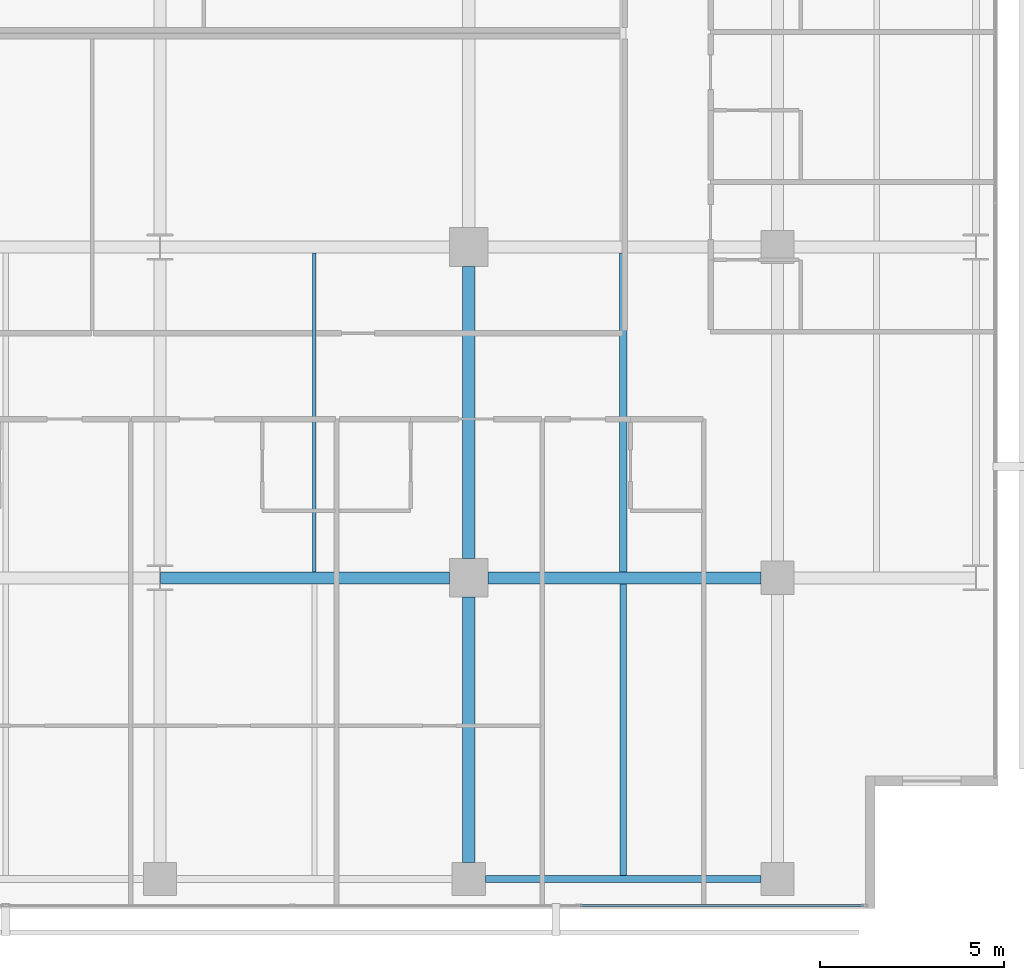
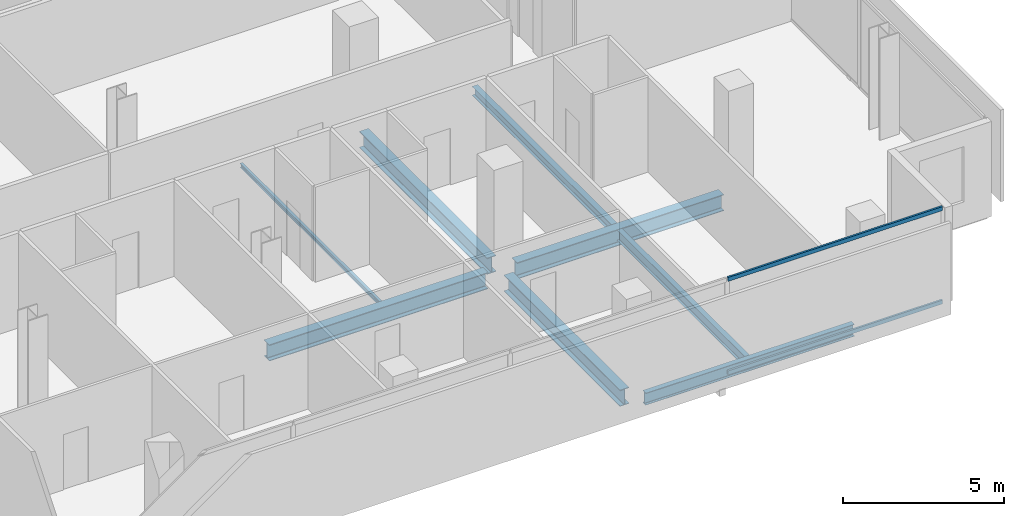
# One storey, part 15 of 41: 8 beams, 2 members, 1 element without a shape of its own.
"""IFC4 building model written with IfcOpenShell, lengths in metres."""

import ifcopenshell
import ifcopenshell.guid

model = None  # the IFC model being written
_history = None  # IfcOwnerHistory: only IFC2X3 demands one
_inside = {}  # id of a spatial element -> (the spatial element, [elements in it])
_under = {}  # id of a project, library or spatial element -> (it, [spatial elements below it])
_declared = {}  # id of a project -> (the project, [libraries it declares])
_typed = {}  # id of a type object -> (the type object, [elements of that type])
_made_of = {}  # id of a material, layer set ... -> (it, [elements and type objects made of it])


def new_model(schema):
    """Start an empty IFC model of exactly this schema.

    Asked for "IFC4X3", IfcOpenShell would pick the latest addendum, in which some entities
    have other attributes; the version numbers below select the first issue.
    IFC2X3 requires an IfcOwnerHistory on every rooted entity: one is made here for all.
    """
    global model, _history
    if schema == "IFC4X3":
        model = ifcopenshell.file(schema_version=(4, 3, 0, 0))
    else:
        model = ifcopenshell.file(schema=schema)
    _inside.clear()
    _under.clear()
    _declared.clear()
    _typed.clear()
    _made_of.clear()
    _history = None
    if model.schema == "IFC2X3":
        org = make("IfcOrganization", Name="unknown")
        user = make(
            "IfcPersonAndOrganization",
            ThePerson=make("IfcPerson", FamilyName="unknown"),
            TheOrganization=org,
        )
        app = make(
            "IfcApplication",
            ApplicationDeveloper=org,
            Version="unknown",
            ApplicationFullName="unknown",
            ApplicationIdentifier="unknown",
        )
        _history = make(
            "IfcOwnerHistory",
            OwningUser=user,
            OwningApplication=app,
            ChangeAction="ADDED",
            CreationDate=0,
        )
    return model


def make(cls, **values):
    """One entity of the class cls with the attributes given. An attribute that is None is left unset."""
    return model.create_entity(
        cls, **{name: value for name, value in values.items() if value is not None}
    )


def rooted(cls, **values):
    """An entity with a GlobalId (a new one), such as an element, a storey or a relation."""
    return make(cls, GlobalId=ifcopenshell.guid.new(), OwnerHistory=_history, **values)


def si_unit(unit_type, name, prefix=None):
    """IfcSIUnit, for example si_unit("LENGTHUNIT", "METRE", prefix="MILLI")."""
    return make("IfcSIUnit", UnitType=unit_type, Prefix=prefix, Name=name)


def assignment(units):
    """IfcUnitAssignment: the units of a project."""
    return None if units is None else make("IfcUnitAssignment", Units=units)


def point(xyz):
    """IfcCartesianPoint."""
    return None if xyz is None else make("IfcCartesianPoint", Coordinates=xyz)


def direction(xyz):
    """IfcDirection."""
    return None if xyz is None else make("IfcDirection", DirectionRatios=xyz)


def frame(location, z_axis=None, x_axis=None):
    """IfcAxis2Placement3D, a coordinate frame: its origin and axes. An axis left out is left unset."""
    return make(
        "IfcAxis2Placement3D",
        Location=point(location),
        Axis=direction(z_axis),
        RefDirection=direction(x_axis),
    )


def frame_2d(location, x_axis=None):
    """IfcAxis2Placement2D, a coordinate frame in the plane: its origin and x axis."""
    return make(
        "IfcAxis2Placement2D", Location=point(location), RefDirection=direction(x_axis)
    )


def origin():
    """The frame at (0, 0, 0) with its axes left unset."""
    return frame((0.0, 0.0, 0.0))


def origin_2d():
    """The frame at (0, 0) in the plane with its x axis left unset."""
    return frame_2d((0.0, 0.0))


def place(relative_to, where):
    """IfcLocalPlacement: puts the frame where relative to a parent placement (None: the world)."""
    return make(
        "IfcLocalPlacement", PlacementRelTo=relative_to, RelativePlacement=where
    )


def context(
    kind, dimensions, precision=None, world=None, true_north=None, identifier=None
):
    """IfcGeometricRepresentationContext, for example the 3D "Model" context."""
    return make(
        "IfcGeometricRepresentationContext",
        ContextIdentifier=identifier,
        ContextType=kind,
        CoordinateSpaceDimension=dimensions,
        Precision=precision,
        WorldCoordinateSystem=world,
        TrueNorth=true_north,
    )


def subcontext(parent, identifier, kind, view, scale=None):
    """IfcGeometricRepresentationSubContext, for example "Body" below "Model"."""
    return make(
        "IfcGeometricRepresentationSubContext",
        ContextIdentifier=identifier,
        ContextType=kind,
        ParentContext=parent,
        TargetScale=scale,
        TargetView=view,
    )


def project(units=None, contexts=None):
    """IfcProject with its units and contexts."""
    return rooted(
        "IfcProject",
        Name="project",
        RepresentationContexts=contexts,
        UnitsInContext=assignment(units),
    )


def spatial(cls, under=None, at=None, **own):
    """A site, building, storey or space (cls), placed at a placement, below another one or the project."""
    s = rooted(cls, ObjectPlacement=at, **own)
    if under is not None:
        _under.setdefault(under.id(), (under, []))[1].append(s)
    return s


def profile(cls, at=None, kind="AREA", **sizes):
    """A parametric profile (cls). Its sizes go by their IFC names, for example OverallWidth=200.0."""
    return make(cls, ProfileType=kind, Position=at, **sizes)


def hollow_rectangle(**sizes):
    """IfcRectangleHollowProfileDef."""
    return profile("IfcRectangleHollowProfileDef", **sizes)


def i_section(**sizes):
    """IfcIShapeProfileDef."""
    return profile("IfcIShapeProfileDef", **sizes)


def extrude(swept, where, along, depth):
    """IfcExtrudedAreaSolid: the profile swept, set in the frame where, extruded along a direction by depth."""
    return make(
        "IfcExtrudedAreaSolid",
        SweptArea=swept,
        Position=where,
        ExtrudedDirection=direction(along),
        Depth=depth,
    )


def shape(context_of_items, identifier, shape_type, items):
    """IfcShapeRepresentation: the items that make up one representation, for example the "Body"."""
    return make(
        "IfcShapeRepresentation",
        ContextOfItems=context_of_items,
        RepresentationIdentifier=identifier,
        RepresentationType=shape_type,
        Items=items,
    )


def material(Name=None, Category=None):
    """IfcMaterial."""
    return make("IfcMaterial", Name=Name, Category=Category)


def layer(
    of_material, thickness, ventilated=None, Name=None, Category=None, Priority=None
):
    """IfcMaterialLayer: one layer of a wall or slab, of a material (None: an air gap)."""
    return make(
        "IfcMaterialLayer",
        Material=of_material,
        LayerThickness=thickness,
        IsVentilated=ventilated,
        Name=Name,
        Category=Category,
        Priority=Priority,
    )


def layer_set(layers, Name=None):
    """IfcMaterialLayerSet."""
    return make("IfcMaterialLayerSet", MaterialLayers=layers, LayerSetName=Name)


def material_profile(
    of_material, cross_section, Name=None, Category=None, Priority=None
):
    """IfcMaterialProfile: a cross section and its material."""
    return make(
        "IfcMaterialProfile",
        Name=Name,
        Material=of_material,
        Profile=cross_section,
        Priority=Priority,
        Category=Category,
    )


def profile_set(profiles, Name=None, composite=None):
    """IfcMaterialProfileSet."""
    return make(
        "IfcMaterialProfileSet",
        Name=Name,
        MaterialProfiles=profiles,
        CompositeProfile=composite,
    )


def made_of(thing, what):
    """Note that an element or type object is made of a material, layer set ...; save() writes the relation."""
    if what is not None:
        _made_of.setdefault(what.id(), (what, []))[1].append(thing)
    return thing


def type_object(cls, material=None, **own):
    """A type object (cls), such as IfcWallType, which elements share."""
    return made_of(rooted(cls, **own), material)


def element(
    cls,
    number,
    at=None,
    inside=None,
    cuts=None,
    type_object=None,
    material=None,
    context=None,
    identifier="Body",
    shape_type=None,
    held_by="IfcProductDefinitionShape",
    body=None,
    shapes=None,
    **own,
):
    """One element of the class cls, such as IfcWall. Its Tag is "e" and its number.

    at: its placement. inside: the storey or other place that contains it. cuts: it is an
    opening in that element (IfcRelVoidsElement). A single representation is given by context,
    identifier, shape_type and body (its items); several are given by shapes. held_by: the class
    of the entity that holds the representations. save() writes the other relations.
    """
    e = rooted(cls, Tag="e%d" % number, ObjectPlacement=at, **own)
    if body is not None:
        shapes = [shape(context, identifier, shape_type, body)]
    if shapes is not None:
        e.Representation = make(held_by, Representations=shapes)
    if inside is not None:
        _inside.setdefault(inside.id(), (inside, []))[1].append(e)
    if cuts is not None:
        rooted(
            "IfcRelVoidsElement", RelatingBuildingElement=cuts, RelatedOpeningElement=e
        )
    if type_object is not None:
        _typed.setdefault(type_object.id(), (type_object, []))[1].append(e)
    return made_of(e, material)


def aggregate(whole, parts):
    """IfcRelAggregates: a whole, such as a stair, and the parts it consists of."""
    return rooted("IfcRelAggregates", RelatingObject=whole, RelatedObjects=parts)


def save(model, path):
    """Write the relations noted so far, then the file.

    IfcRelAggregates (storeys below a building ...), IfcRelContainedInSpatialStructure (elements
    in a storey), IfcRelDefinesByType, IfcRelAssociatesMaterial and IfcRelDeclares: one each for
    every whole, place, type object, material and project.
    """
    for whole, parts in _under.values():
        aggregate(whole, parts)
    for where, things in _inside.values():
        rooted(
            "IfcRelContainedInSpatialStructure",
            RelatedElements=things,
            RelatingStructure=where,
        )
    for kind, things in _typed.values():
        rooted("IfcRelDefinesByType", RelatedObjects=things, RelatingType=kind)
    for what, things in _made_of.values():
        rooted("IfcRelAssociatesMaterial", RelatedObjects=things, RelatingMaterial=what)
    for by, libraries in _declared.values():
        rooted("IfcRelDeclares", RelatingContext=by, RelatedDefinitions=libraries)
    model.write(path)


model = new_model("IFC4")

# Units and contexts
model_context = context("Model", 3, precision=1e-05, world=origin(), true_north=direction((0.0, 1.0)))
body_context = subcontext(model_context, "Body", "Model", "MODEL_VIEW")
ifc_project = project(units=[si_unit("LENGTHUNIT", "METRE"), si_unit("AREAUNIT", "SQUARE_METRE"), si_unit("VOLUMEUNIT", "CUBIC_METRE"), si_unit("PLANEANGLEUNIT", "RADIAN"), si_unit("MASSUNIT", "GRAM", prefix="KILO")], contexts=[model_context])

# Site, building, storey
site_placement = place(None, origin())
site = spatial("IfcSite", under=ifc_project, at=site_placement, CompositionType="ELEMENT")
building_placement = place(site_placement, origin())
building = spatial("IfcBuilding", under=site, at=building_placement, Name="Maruvema Waterfront Hotel and Observation Tower", CompositionType="ELEMENT")
storey_placement = place(building_placement, frame((0.0, 0.0, 61.60009765625)))
storey = spatial("IfcBuildingStorey", under=building, at=storey_placement, Name="L14", CompositionType="ELEMENT", Elevation=61.60009765625)

# Curtain wall, members
ifc_material_1 = material(Name="Anodised bronze aluminium and solar-control low-E IGU", Category="aluminium")
ifc_layer = layer(ifc_material_1, 0.159912109375, Name="Zone 1 Bronze Inner Thermal Curtain Wall System CW-02")
ifc_layer_set = layer_set([ifc_layer], Name="Anodised bronze aluminium and solar-control low-E IGU")
curtain_wall_type = type_object("IfcCurtainWallType", Name="Zone 1 Bronze Inner Thermal Curtain Wall System CW-02", PredefinedType="USERDEFINED", material=ifc_layer_set)
curtain_wall_placement = place(storey_placement, origin())
curtain_wall = element("IfcCurtainWall", 1, at=curtain_wall_placement, inside=storey, type_object=curtain_wall_type, Name="L14 Curtain Wall CW-L14-S", ObjectType="UNITISED CURTAIN WALL", PredefinedType="USERDEFINED")
ifc_material_2 = material(Name="Anodised architectural bronze aluminium", Category="aluminium")
ifc_material_profile_1 = material_profile(ifc_material_2, hollow_rectangle(XDim=0.070068359375, YDim=0.14990234375, WallThickness=0.00390625, at=origin_2d()), Name="ALU-T70x150")
ifc_profile_set_1 = profile_set([ifc_material_profile_1], Name="Anodised architectural bronze aluminium")
member_type = type_object("IfcMemberType", Name="Curtain Wall Horizontal Transom ALU-T70x150", PredefinedType="USERDEFINED", material=ifc_profile_set_1)
member_1_placement = place(storey_placement, frame((53.429931640625, 0.080078125, 0.02978515625), z_axis=(1.0, 0.0, 0.0), x_axis=(0.0, 1.0, 0.0)))
member_1 = element("IfcMember", 2, at=member_1_placement, type_object=member_type, Name="CW-02 transom 6.1", ObjectType="TRANSOM", PredefinedType="USERDEFINED", context=body_context, shape_type="SweptSolid", body=[
    extrude(hollow_rectangle(XDim=0.070068359375, YDim=0.14990234375, WallThickness=0.00390625, at=origin_2d()), origin(), (0.0, 0.0, 1.0), 7.7099609375),
])
member_2_placement = place(storey_placement, frame((53.429931640625, 0.080078125, 3.579833984375), z_axis=(1.0, 0.0, 0.0), x_axis=(0.0, 1.0, 0.0)))
member_2 = element("IfcMember", 3, at=member_2_placement, type_object=member_type, Name="CW-02 transom 6.2", ObjectType="TRANSOM", PredefinedType="USERDEFINED", context=body_context, shape_type="SweptSolid", body=[
    extrude(hollow_rectangle(XDim=0.070068359375, YDim=0.14990234375, WallThickness=0.00390625, at=origin_2d()), origin(), (0.0, 0.0, 1.0), 7.7099609375),
])
aggregate(curtain_wall, [member_1, member_2])

# Beams
ifc_material_3 = material(Name="Steel ASTM A572 Grade 50", Category="steel")
ifc_material_profile_2 = material_profile(ifc_material_3, i_section(OverallWidth=0.18994140625, OverallDepth=0.45703125, WebThickness=0.009033203125, FlangeThickness=0.014404296875, FilletRadius=0.014892578125, at=origin_2d()), Name="W460x74.0")
ifc_profile_set_2 = profile_set([ifc_material_profile_2], Name="Steel ASTM A572 Grade 50")
beam_type_1 = type_object("IfcBeamType", Name="Perimeter Spandrel Beam W460x74.0", PredefinedType="SPANDREL", material=ifc_profile_set_2)
beam_1_placement = place(storey_placement, frame((50.85009765625, 0.800048828125, -0.468505859375), z_axis=(1.0, 0.0, 0.0), x_axis=(0.0, 1.0, 0.0)))
element("IfcBeam", 4, at=beam_1_placement, inside=storey, type_object=beam_type_1, Name="L14 Floor Girder EW-05", PredefinedType="SPANDREL", context=body_context, shape_type="SweptSolid", body=[
    extrude(i_section(OverallWidth=0.18994140625, OverallDepth=0.45703125, WebThickness=0.009033203125, FlangeThickness=0.014404296875, FilletRadius=0.014892578125, at=origin_2d()), origin(), (0.0, 0.0, 1.0), 7.5),
])
ifc_material_4 = material(Name="Steel ASTM A572 Grade 50", Category="steel")
ifc_material_profile_3 = material_profile(ifc_material_4, i_section(OverallWidth=0.326904296875, OverallDepth=0.6220703125, WebThickness=0.015380859375, FlangeThickness=0.0244140625, FilletRadius=0.01806640625, at=origin_2d()), Name="W610x195.0")
ifc_profile_set_3 = profile_set([ifc_material_profile_3], Name="Steel ASTM A572 Grade 50")
beam_type_2 = type_object("IfcBeamType", Name="Primary Floor Girder W610x195.0", PredefinedType="BEAM", material=ifc_profile_set_3)
beam_2_placement = place(storey_placement, frame((42.013916015625, 9.0, -0.551025390625), z_axis=(1.0, 0.0, 0.0), x_axis=(0.0, 1.0, 0.0)))
element("IfcBeam", 5, at=beam_2_placement, inside=storey, type_object=beam_type_2, Name="L14 Floor Girder EW-10", PredefinedType="BEAM", context=body_context, shape_type="SweptSolid", body=[
    extrude(i_section(OverallWidth=0.326904296875, OverallDepth=0.6220703125, WebThickness=0.015380859375, FlangeThickness=0.0244140625, FilletRadius=0.01806640625, at=origin_2d()), origin(), (0.0, 0.0, 1.0), 7.861083984375),
])
beam_3_placement = place(storey_placement, frame((50.925048828125, 9.0, -0.551025390625), z_axis=(1.0, 0.0, 0.0), x_axis=(0.0, 1.0, 0.0)))
element("IfcBeam", 6, at=beam_3_placement, inside=storey, type_object=beam_type_2, Name="L14 Floor Girder EW-11", PredefinedType="BEAM", context=body_context, shape_type="SweptSolid", body=[
    extrude(i_section(OverallWidth=0.326904296875, OverallDepth=0.6220703125, WebThickness=0.015380859375, FlangeThickness=0.0244140625, FilletRadius=0.01806640625, at=origin_2d()), origin(), (0.0, 0.0, 1.0), 7.425048828125),
])
beam_4_placement = place(storey_placement, frame((50.39990234375, 1.25, -0.551025390625), z_axis=(0.0, 1.0, 0.0), x_axis=(-1.0, 0.0, 0.0)))
element("IfcBeam", 7, at=beam_4_placement, inside=storey, type_object=beam_type_2, Name="L14 Floor Girder NS-22", PredefinedType="BEAM", context=body_context, shape_type="SweptSolid", body=[
    extrude(i_section(OverallWidth=0.326904296875, OverallDepth=0.6220703125, WebThickness=0.015380859375, FlangeThickness=0.0244140625, FilletRadius=0.01806640625, at=origin_2d()), origin(), (0.0, 0.0, 1.0), 7.22509765625),
])
beam_5_placement = place(storey_placement, frame((50.39990234375, 9.52490234375, -0.551025390625), z_axis=(0.0, 1.0, 0.0), x_axis=(-1.0, 0.0, 0.0)))
element("IfcBeam", 8, at=beam_5_placement, inside=storey, type_object=beam_type_2, Name="L14 Floor Girder NS-23", PredefinedType="BEAM", context=body_context, shape_type="SweptSolid", body=[
    extrude(i_section(OverallWidth=0.326904296875, OverallDepth=0.6220703125, WebThickness=0.015380859375, FlangeThickness=0.0244140625, FilletRadius=0.01806640625, at=origin_2d()), origin(), (0.0, 0.0, 1.0), 7.9501953125),
])
ifc_material_5 = material(Name="Steel ASTM A572 Grade 50", Category="steel")
ifc_material_profile_4 = material_profile(ifc_material_5, i_section(OverallWidth=0.10009765625, OverallDepth=0.153076171875, WebThickness=0.005859375, FlangeThickness=0.007080078125, FilletRadius=0.008056640625, at=origin_2d()), Name="W150x18.0")
ifc_profile_set_4 = profile_set([ifc_material_profile_4], Name="Steel ASTM A572 Grade 50")
beam_type_3 = type_object("IfcBeamType", Name="Secondary Floor Joist W150x18.0", PredefinedType="JOIST", material=ifc_profile_set_4)
beam_6_placement = place(storey_placement, frame((46.199951171875, 9.16357421875, -0.316650390625), z_axis=(0.0, 1.0, 0.0), x_axis=(-1.0, 0.0, 0.0)))
element("IfcBeam", 9, at=beam_6_placement, inside=storey, type_object=beam_type_3, Name="L14 Secondary Floor Joist JS-15", PredefinedType="JOIST", context=body_context, shape_type="SweptSolid", body=[
    extrude(i_section(OverallWidth=0.10009765625, OverallDepth=0.153076171875, WebThickness=0.005859375, FlangeThickness=0.007080078125, FilletRadius=0.008056640625, at=origin_2d()), origin(), (0.0, 0.0, 1.0), 8.6728515625),
])
ifc_material_6 = material(Name="Steel ASTM A572 Grade 50", Category="steel")
ifc_material_profile_5 = material_profile(ifc_material_6, i_section(OverallWidth=0.202880859375, OverallDepth=0.346923828125, WebThickness=0.0078125, FlangeThickness=0.013427734375, FilletRadius=0.014892578125, at=origin_2d()), Name="W360x64.0")
ifc_profile_set_5 = profile_set([ifc_material_profile_5], Name="Steel ASTM A572 Grade 50")
beam_type_4 = type_object("IfcBeamType", Name="Secondary Floor Joist W360x64.0", PredefinedType="JOIST", material=ifc_profile_set_5)
beam_7_placement = place(storey_placement, frame((54.60009765625, 9.16357421875, -0.41357421875), z_axis=(0.0, 1.0, 0.0), x_axis=(-1.0, 0.0, 0.0)))
element("IfcBeam", 10, at=beam_7_placement, inside=storey, type_object=beam_type_4, Name="L14 Secondary Floor Joist JS-17", PredefinedType="JOIST", context=body_context, shape_type="SweptSolid", body=[
    extrude(i_section(OverallWidth=0.202880859375, OverallDepth=0.346923828125, WebThickness=0.0078125, FlangeThickness=0.013427734375, FilletRadius=0.014892578125, at=origin_2d()), origin(), (0.0, 0.0, 1.0), 8.6728515625),
])
ifc_material_7 = material(Name="Steel ASTM A572 Grade 50", Category="steel")
ifc_material_profile_6 = material_profile(ifc_material_7, i_section(OverallWidth=0.177001953125, OverallDepth=0.403076171875, WebThickness=0.007568359375, FlangeThickness=0.010986328125, FilletRadius=0.014892578125, at=origin_2d()), Name="W410x53.0")
ifc_profile_set_6 = profile_set([ifc_material_profile_6], Name="Steel ASTM A572 Grade 50")
beam_type_5 = type_object("IfcBeamType", Name="Secondary Floor Joist W410x53.0", PredefinedType="JOIST", material=ifc_profile_set_6)
beam_8_placement = place(storey_placement, frame((54.60009765625, 0.89501953125, -0.441650390625), z_axis=(0.0, 1.0, 0.0), x_axis=(-1.0, 0.0, 0.0)))
element("IfcBeam", 11, at=beam_8_placement, inside=storey, type_object=beam_type_5, Name="L14 Secondary Floor Joist JS-16", PredefinedType="JOIST", context=body_context, shape_type="SweptSolid", body=[
    extrude(i_section(OverallWidth=0.177001953125, OverallDepth=0.403076171875, WebThickness=0.007568359375, FlangeThickness=0.010986328125, FilletRadius=0.014892578125, at=origin_2d()), origin(), (0.0, 0.0, 1.0), 7.94140625),
])

save(model, "model.ifc")
